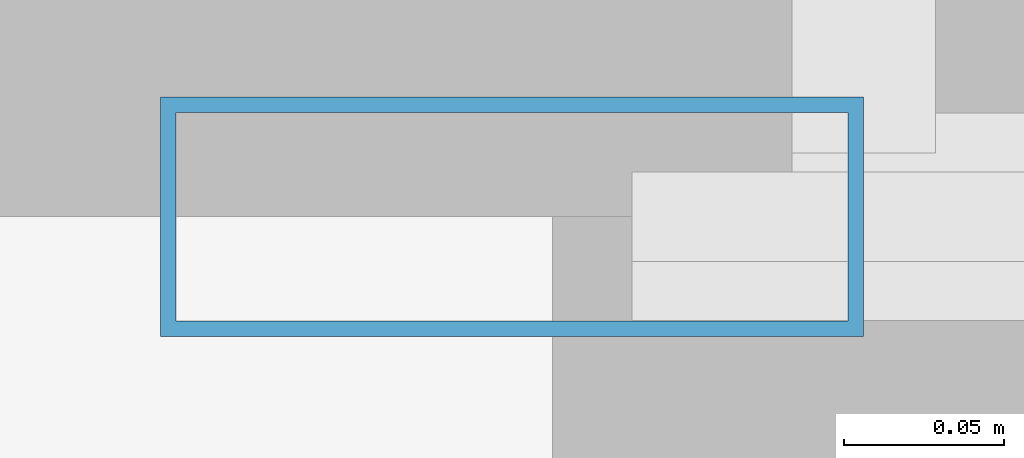
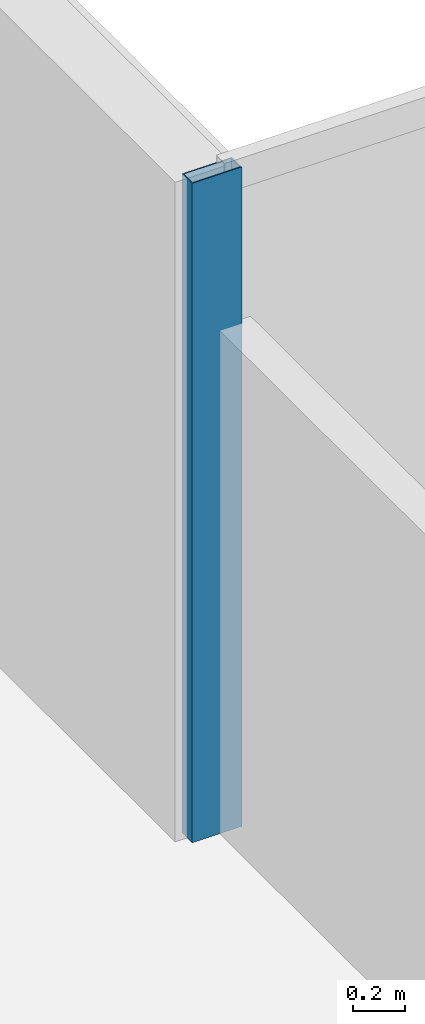
# One storey, part 6 of 23: 1 member, 1 element without a shape of its own.
"""IFC4 building model written with IfcOpenShell, lengths in metres."""

import ifcopenshell
import ifcopenshell.guid

model = None  # the IFC model being written
_history = None  # IfcOwnerHistory: only IFC2X3 demands one
_inside = {}  # id of a spatial element -> (the spatial element, [elements in it])
_under = {}  # id of a project, library or spatial element -> (it, [spatial elements below it])
_declared = {}  # id of a project -> (the project, [libraries it declares])
_typed = {}  # id of a type object -> (the type object, [elements of that type])
_made_of = {}  # id of a material, layer set ... -> (it, [elements and type objects made of it])


def new_model(schema):
    """Start an empty IFC model of exactly this schema.

    Asked for "IFC4X3", IfcOpenShell would pick the latest addendum, in which some entities
    have other attributes; the version numbers below select the first issue.
    IFC2X3 requires an IfcOwnerHistory on every rooted entity: one is made here for all.
    """
    global model, _history
    if schema == "IFC4X3":
        model = ifcopenshell.file(schema_version=(4, 3, 0, 0))
    else:
        model = ifcopenshell.file(schema=schema)
    _inside.clear()
    _under.clear()
    _declared.clear()
    _typed.clear()
    _made_of.clear()
    _history = None
    if model.schema == "IFC2X3":
        org = make("IfcOrganization", Name="unknown")
        user = make(
            "IfcPersonAndOrganization",
            ThePerson=make("IfcPerson", FamilyName="unknown"),
            TheOrganization=org,
        )
        app = make(
            "IfcApplication",
            ApplicationDeveloper=org,
            Version="unknown",
            ApplicationFullName="unknown",
            ApplicationIdentifier="unknown",
        )
        _history = make(
            "IfcOwnerHistory",
            OwningUser=user,
            OwningApplication=app,
            ChangeAction="ADDED",
            CreationDate=0,
        )
    return model


def make(cls, **values):
    """One entity of the class cls with the attributes given. An attribute that is None is left unset."""
    return model.create_entity(
        cls, **{name: value for name, value in values.items() if value is not None}
    )


def rooted(cls, **values):
    """An entity with a GlobalId (a new one), such as an element, a storey or a relation."""
    return make(cls, GlobalId=ifcopenshell.guid.new(), OwnerHistory=_history, **values)


def si_unit(unit_type, name, prefix=None):
    """IfcSIUnit, for example si_unit("LENGTHUNIT", "METRE", prefix="MILLI")."""
    return make("IfcSIUnit", UnitType=unit_type, Prefix=prefix, Name=name)


def assignment(units):
    """IfcUnitAssignment: the units of a project."""
    return None if units is None else make("IfcUnitAssignment", Units=units)


def point(xyz):
    """IfcCartesianPoint."""
    return None if xyz is None else make("IfcCartesianPoint", Coordinates=xyz)


def direction(xyz):
    """IfcDirection."""
    return None if xyz is None else make("IfcDirection", DirectionRatios=xyz)


def frame(location, z_axis=None, x_axis=None):
    """IfcAxis2Placement3D, a coordinate frame: its origin and axes. An axis left out is left unset."""
    return make(
        "IfcAxis2Placement3D",
        Location=point(location),
        Axis=direction(z_axis),
        RefDirection=direction(x_axis),
    )


def frame_2d(location, x_axis=None):
    """IfcAxis2Placement2D, a coordinate frame in the plane: its origin and x axis."""
    return make(
        "IfcAxis2Placement2D", Location=point(location), RefDirection=direction(x_axis)
    )


def origin():
    """The frame at (0, 0, 0) with its axes left unset."""
    return frame((0.0, 0.0, 0.0))


def origin_2d():
    """The frame at (0, 0) in the plane with its x axis left unset."""
    return frame_2d((0.0, 0.0))


def place(relative_to, where):
    """IfcLocalPlacement: puts the frame where relative to a parent placement (None: the world)."""
    return make(
        "IfcLocalPlacement", PlacementRelTo=relative_to, RelativePlacement=where
    )


def context(
    kind, dimensions, precision=None, world=None, true_north=None, identifier=None
):
    """IfcGeometricRepresentationContext, for example the 3D "Model" context."""
    return make(
        "IfcGeometricRepresentationContext",
        ContextIdentifier=identifier,
        ContextType=kind,
        CoordinateSpaceDimension=dimensions,
        Precision=precision,
        WorldCoordinateSystem=world,
        TrueNorth=true_north,
    )


def subcontext(parent, identifier, kind, view, scale=None):
    """IfcGeometricRepresentationSubContext, for example "Body" below "Model"."""
    return make(
        "IfcGeometricRepresentationSubContext",
        ContextIdentifier=identifier,
        ContextType=kind,
        ParentContext=parent,
        TargetScale=scale,
        TargetView=view,
    )


def project(units=None, contexts=None):
    """IfcProject with its units and contexts."""
    return rooted(
        "IfcProject",
        Name="project",
        RepresentationContexts=contexts,
        UnitsInContext=assignment(units),
    )


def spatial(cls, under=None, at=None, **own):
    """A site, building, storey or space (cls), placed at a placement, below another one or the project."""
    s = rooted(cls, ObjectPlacement=at, **own)
    if under is not None:
        _under.setdefault(under.id(), (under, []))[1].append(s)
    return s


def profile(cls, at=None, kind="AREA", **sizes):
    """A parametric profile (cls). Its sizes go by their IFC names, for example OverallWidth=200.0."""
    return make(cls, ProfileType=kind, Position=at, **sizes)


def hollow_rectangle(**sizes):
    """IfcRectangleHollowProfileDef."""
    return profile("IfcRectangleHollowProfileDef", **sizes)


def extrude(swept, where, along, depth):
    """IfcExtrudedAreaSolid: the profile swept, set in the frame where, extruded along a direction by depth."""
    return make(
        "IfcExtrudedAreaSolid",
        SweptArea=swept,
        Position=where,
        ExtrudedDirection=direction(along),
        Depth=depth,
    )


def shape(context_of_items, identifier, shape_type, items):
    """IfcShapeRepresentation: the items that make up one representation, for example the "Body"."""
    return make(
        "IfcShapeRepresentation",
        ContextOfItems=context_of_items,
        RepresentationIdentifier=identifier,
        RepresentationType=shape_type,
        Items=items,
    )


def material(Name=None, Category=None):
    """IfcMaterial."""
    return make("IfcMaterial", Name=Name, Category=Category)


def layer(
    of_material, thickness, ventilated=None, Name=None, Category=None, Priority=None
):
    """IfcMaterialLayer: one layer of a wall or slab, of a material (None: an air gap)."""
    return make(
        "IfcMaterialLayer",
        Material=of_material,
        LayerThickness=thickness,
        IsVentilated=ventilated,
        Name=Name,
        Category=Category,
        Priority=Priority,
    )


def layer_set(layers, Name=None):
    """IfcMaterialLayerSet."""
    return make("IfcMaterialLayerSet", MaterialLayers=layers, LayerSetName=Name)


def material_profile(
    of_material, cross_section, Name=None, Category=None, Priority=None
):
    """IfcMaterialProfile: a cross section and its material."""
    return make(
        "IfcMaterialProfile",
        Name=Name,
        Material=of_material,
        Profile=cross_section,
        Priority=Priority,
        Category=Category,
    )


def profile_set(profiles, Name=None, composite=None):
    """IfcMaterialProfileSet."""
    return make(
        "IfcMaterialProfileSet",
        Name=Name,
        MaterialProfiles=profiles,
        CompositeProfile=composite,
    )


def made_of(thing, what):
    """Note that an element or type object is made of a material, layer set ...; save() writes the relation."""
    if what is not None:
        _made_of.setdefault(what.id(), (what, []))[1].append(thing)
    return thing


def type_object(cls, material=None, **own):
    """A type object (cls), such as IfcWallType, which elements share."""
    return made_of(rooted(cls, **own), material)


def element(
    cls,
    number,
    at=None,
    inside=None,
    cuts=None,
    type_object=None,
    material=None,
    context=None,
    identifier="Body",
    shape_type=None,
    held_by="IfcProductDefinitionShape",
    body=None,
    shapes=None,
    **own,
):
    """One element of the class cls, such as IfcWall. Its Tag is "e" and its number.

    at: its placement. inside: the storey or other place that contains it. cuts: it is an
    opening in that element (IfcRelVoidsElement). A single representation is given by context,
    identifier, shape_type and body (its items); several are given by shapes. held_by: the class
    of the entity that holds the representations. save() writes the other relations.
    """
    e = rooted(cls, Tag="e%d" % number, ObjectPlacement=at, **own)
    if body is not None:
        shapes = [shape(context, identifier, shape_type, body)]
    if shapes is not None:
        e.Representation = make(held_by, Representations=shapes)
    if inside is not None:
        _inside.setdefault(inside.id(), (inside, []))[1].append(e)
    if cuts is not None:
        rooted(
            "IfcRelVoidsElement", RelatingBuildingElement=cuts, RelatedOpeningElement=e
        )
    if type_object is not None:
        _typed.setdefault(type_object.id(), (type_object, []))[1].append(e)
    return made_of(e, material)


def aggregate(whole, parts):
    """IfcRelAggregates: a whole, such as a stair, and the parts it consists of."""
    return rooted("IfcRelAggregates", RelatingObject=whole, RelatedObjects=parts)


def save(model, path):
    """Write the relations noted so far, then the file.

    IfcRelAggregates (storeys below a building ...), IfcRelContainedInSpatialStructure (elements
    in a storey), IfcRelDefinesByType, IfcRelAssociatesMaterial and IfcRelDeclares: one each for
    every whole, place, type object, material and project.
    """
    for whole, parts in _under.values():
        aggregate(whole, parts)
    for where, things in _inside.values():
        rooted(
            "IfcRelContainedInSpatialStructure",
            RelatedElements=things,
            RelatingStructure=where,
        )
    for kind, things in _typed.values():
        rooted("IfcRelDefinesByType", RelatedObjects=things, RelatingType=kind)
    for what, things in _made_of.values():
        rooted("IfcRelAssociatesMaterial", RelatedObjects=things, RelatingMaterial=what)
    for by, libraries in _declared.values():
        rooted("IfcRelDeclares", RelatingContext=by, RelatedDefinitions=libraries)
    model.write(path)


model = new_model("IFC4")

# Units and contexts
model_context = context("Model", 3, precision=1e-05, world=origin(), true_north=direction((0.0, 1.0)))
body_context = subcontext(model_context, "Body", "Model", "MODEL_VIEW")
ifc_project = project(units=[si_unit("LENGTHUNIT", "METRE"), si_unit("AREAUNIT", "SQUARE_METRE"), si_unit("VOLUMEUNIT", "CUBIC_METRE"), si_unit("PLANEANGLEUNIT", "RADIAN"), si_unit("MASSUNIT", "GRAM", prefix="KILO")], contexts=[model_context])

# Site, building, storey
site_placement = place(None, origin())
site = spatial("IfcSite", under=ifc_project, at=site_placement, CompositionType="ELEMENT")
building_placement = place(site_placement, origin())
building = spatial("IfcBuilding", under=site, at=building_placement, Name="Tanjung Sevakor Pilgrim Tower", CompositionType="ELEMENT")
storey_placement = place(building_placement, frame((0.0, 0.0, 101.969970703125)))
storey = spatial("IfcBuildingStorey", under=building, at=storey_placement, Name="L28", CompositionType="ELEMENT", Elevation=101.969970703125)

# Curtain wall, member
ifc_material_1 = material(Name="Aluminium 6063-T6 and Low-E Glass", Category="aluminium")
ifc_layer = layer(ifc_material_1, 0.179931640625)
ifc_layer_set = layer_set([ifc_layer], Name="CW-SYS-CLEFT")
curtain_wall_type = type_object("IfcCurtainWallType", Name="CW-SYS-CLEFT", PredefinedType="NOTDEFINED", material=ifc_layer_set)
curtain_wall_placement = place(storey_placement, origin())
curtain_wall = element("IfcCurtainWall", 1, at=curtain_wall_placement, inside=storey, type_object=curtain_wall_type, Name="L28 Curtain Wall CW-CLF-L28-10", PredefinedType="NOTDEFINED")
ifc_material_2 = material(Name="Aluminium 6063-T6", Category="aluminium")
ifc_material_profile = material_profile(ifc_material_2, hollow_rectangle(XDim=0.074951171875, YDim=0.219970703125, WallThickness=0.0048828125, at=origin_2d()))
ifc_profile_set = profile_set([ifc_material_profile], Name="Aluminium 6063-T6")
member_type = type_object("IfcMemberType", Name="TYPE-CWM-2", PredefinedType="MULLION", material=ifc_profile_set)
member_placement = place(storey_placement, frame((43.512451171875, 54.074951171875, 0.0), z_axis=(0.0, 0.0, 1.0), x_axis=(0.0, -1.0, 0.0)))
member = element("IfcMember", 2, at=member_placement, type_object=member_type, Name="CW-CLF mullion 2", PredefinedType="MULLION", context=body_context, shape_type="SweptSolid", body=[
    extrude(hollow_rectangle(XDim=0.074951171875, YDim=0.219970703125, WallThickness=0.0048828125, at=origin_2d()), origin(), (0.0, 0.0, 1.0), 3.080078125),
])
aggregate(curtain_wall, [member])

save(model, "model.ifc")
